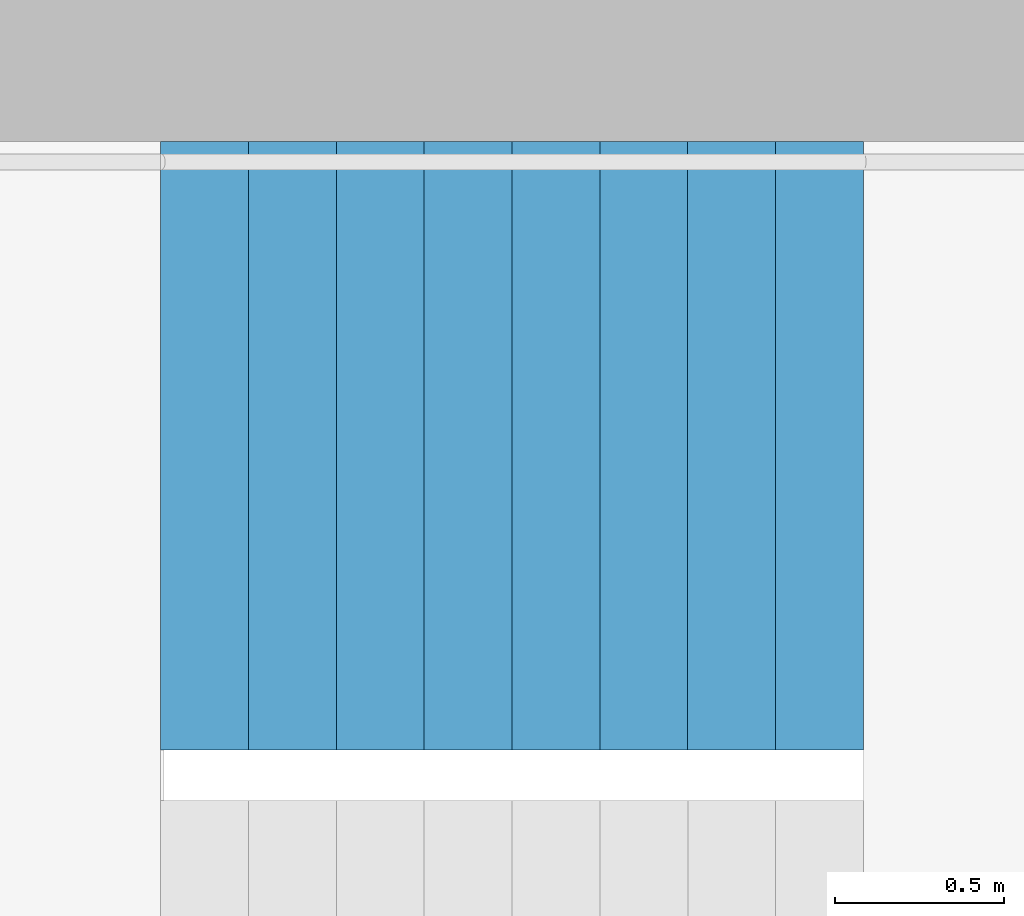
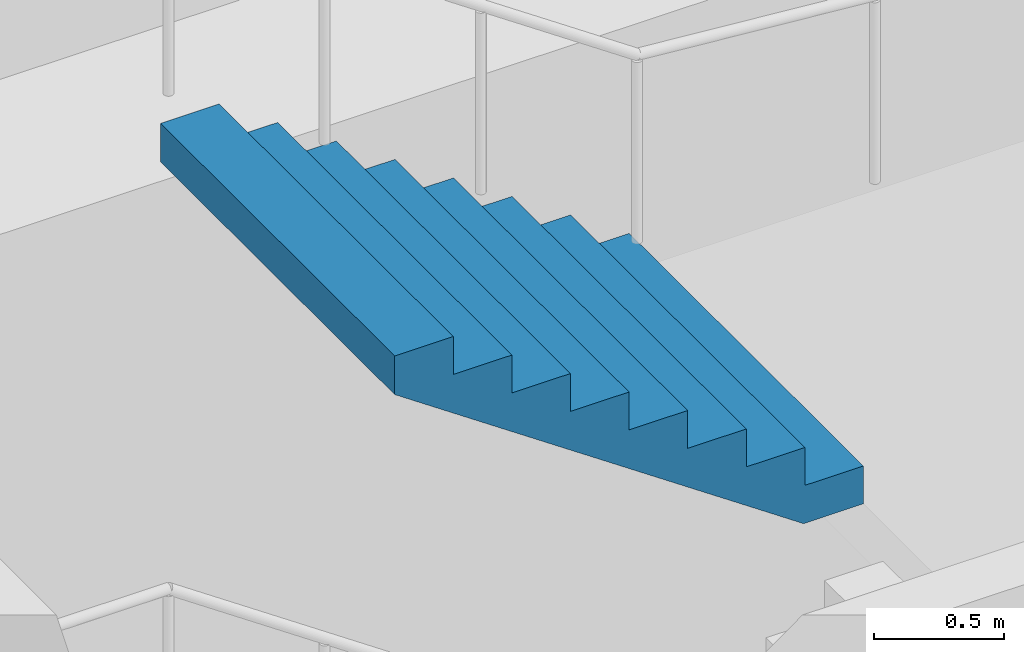
# One storey, part 23 of 42: 1 stair flight, 1 element without a shape of its own.
"""IFC4 building model written with IfcOpenShell, lengths in metres."""

from ifc_helpers import new_model, si_unit, direction, frame, origin, place, context, subcontext, project, spatial, triangles, material, type_object, element, aggregate, save


model = new_model("IFC4")

# Units and contexts
model_context = context("Model", 3, precision=1e-05, world=origin(), true_north=direction((0.0, 1.0)))
body_context = subcontext(model_context, "Body", "Model", "MODEL_VIEW")
ifc_project = project(units=[si_unit("LENGTHUNIT", "METRE"), si_unit("AREAUNIT", "SQUARE_METRE"), si_unit("VOLUMEUNIT", "CUBIC_METRE"), si_unit("PLANEANGLEUNIT", "RADIAN"), si_unit("MASSUNIT", "GRAM", prefix="KILO")], contexts=[model_context])

# Site, building, storey
site_placement = place(None, origin())
site = spatial("IfcSite", under=ifc_project, at=site_placement, CompositionType="ELEMENT")
building_placement = place(site_placement, origin())
building = spatial("IfcBuilding", under=site, at=building_placement, Name="Hakoniwa Tower and Hamabe Station Hall", CompositionType="ELEMENT")
storey_placement = place(building_placement, frame((0.0, 0.0, 232.60009765625)))
storey = spatial("IfcBuildingStorey", under=building, at=storey_placement, Name="L66", CompositionType="ELEMENT", Elevation=232.60009765625)

# Stair, stair flight
ifc_material_1 = material(Name="Concrete C40", Category="concrete")
stair_type = type_object("IfcStairType", Name="ESCAPE STAIR 1800", PredefinedType="HALF_TURN_STAIR", material=ifc_material_1)
stair_placement = place(storey_placement, origin())
stair = element("IfcStair", 1, at=stair_placement, inside=storey, type_object=stair_type, Name="Escape stair ST-1 L66", PredefinedType="HALF_TURN_STAIR")
ifc_material_2 = material(Name="Concrete C40", Category="concrete")
stair_flight_type = type_object("IfcStairFlightType", Name="STAIR FLIGHT 1800", PredefinedType="STRAIGHT", material=ifc_material_2)
stair_flight_placement = place(storey_placement, frame((-22.320068359375, 6.60009765625, 4.7998046875), z_axis=(0.0, 0.0, 1.0), x_axis=(-1.0, 0.0, 0.0)))
stair_flight = element("IfcStairFlight", 2, at=stair_flight_placement, type_object=stair_flight_type, Name="ST-1 flight 4", NumberOfRisers=9, NumberOfTreads=8, PredefinedType="STRAIGHT", RiserHeight=0.177777778, TreadLength=0.26, context=body_context, shape_type="Tessellation", body=[
    triangles([(0.0, 0.89990234375, 0.0), (0.260009765625, 0.89990234375, 0.0), (0.265625, 0.89990234375, 0.0), (0.52001953125, 0.89990234375, 0.174072265625), (0.780029296875, 0.89990234375, 0.351806640625), (1.0400390625, 0.89990234375, 0.529541015625), (1.300048828125, 0.89990234375, 0.707275390625), (1.56005859375, 0.89990234375, 0.885009765625), (1.820068359375, 0.89990234375, 1.062744140625), (2.080078125, 0.89990234375, 1.24072265625), (2.080078125, 0.89990234375, 1.422119140625), (1.820068359375, 0.89990234375, 1.422119140625), (1.820068359375, 0.89990234375, 1.244384765625), (1.56005859375, 0.89990234375, 1.244384765625), (1.56005859375, 0.89990234375, 1.066650390625), (1.300048828125, 0.89990234375, 1.066650390625), (1.300048828125, 0.89990234375, 0.888916015625), (1.0400390625, 0.89990234375, 0.888916015625), (1.0400390625, 0.89990234375, 0.711181640625), (0.780029296875, 0.89990234375, 0.711181640625), (0.780029296875, 0.89990234375, 0.533447265625), (0.52001953125, 0.89990234375, 0.533447265625), (0.52001953125, 0.89990234375, 0.35546875), (0.265625, 0.89990234375, 0.35546875), (0.260009765625, 0.89990234375, 0.35546875), (0.260009765625, 0.89990234375, 0.177734375), (0.0, 0.89990234375, 0.177734375), (0.0, 0.06005859375, 0.0), (0.260009765625, 0.06005859375, 0.0), (0.265625, 0.06005859375, 0.0), (0.52001953125, 0.06005859375, 0.174072265625), (0.780029296875, 0.06005859375, 0.351806640625), (1.0400390625, 0.06005859375, 0.529541015625), (1.300048828125, 0.06005859375, 0.707275390625), (1.56005859375, 0.06005859375, 0.885009765625), (1.820068359375, 0.06005859375, 1.062744140625), (2.080078125, 0.06005859375, 1.24072265625), (2.080078125, 0.06005859375, 1.422119140625), (1.820068359375, 0.06005859375, 1.422119140625), (1.820068359375, 0.06005859375, 1.244384765625), (1.56005859375, 0.06005859375, 1.244384765625), (1.56005859375, 0.06005859375, 1.066650390625), (1.300048828125, 0.06005859375, 1.066650390625), (1.300048828125, 0.06005859375, 0.888916015625), (1.0400390625, 0.06005859375, 0.888916015625), (1.0400390625, 0.06005859375, 0.711181640625), (0.780029296875, 0.06005859375, 0.711181640625), (0.780029296875, 0.06005859375, 0.533447265625), (0.52001953125, 0.06005859375, 0.533447265625), (0.52001953125, 0.06005859375, 0.35546875), (0.265625, 0.06005859375, 0.35546875), (0.260009765625, 0.06005859375, 0.35546875), (0.260009765625, 0.06005859375, 0.177734375), (0.0, 0.06005859375, 0.177734375), (0.0, 0.04296875, 0.0), (0.260009765625, 0.04296875, 0.0), (0.265625, 0.04296875, 0.0), (0.52001953125, 0.04296875, 0.174072265625), (0.780029296875, 0.04296875, 0.351806640625), (1.0400390625, 0.04296875, 0.529541015625), (1.300048828125, 0.04296875, 0.707275390625), (1.56005859375, 0.04296875, 0.885009765625), (1.820068359375, 0.04296875, 1.062744140625), (2.080078125, 0.04296875, 1.24072265625), (2.080078125, 0.04296875, 1.422119140625), (1.820068359375, 0.04296875, 1.422119140625), (1.820068359375, 0.04296875, 1.244384765625), (1.56005859375, 0.04296875, 1.244384765625), (1.56005859375, 0.04296875, 1.066650390625), (1.300048828125, 0.04296875, 1.066650390625), (1.300048828125, 0.04296875, 0.888916015625), (1.0400390625, 0.04296875, 0.888916015625), (1.0400390625, 0.04296875, 0.711181640625), (0.780029296875, 0.04296875, 0.711181640625), (0.780029296875, 0.04296875, 0.533447265625), (0.52001953125, 0.04296875, 0.533447265625), (0.52001953125, 0.04296875, 0.35546875), (0.265625, 0.04296875, 0.35546875), (0.260009765625, 0.04296875, 0.35546875), (0.260009765625, 0.04296875, 0.177734375), (0.0, 0.04296875, 0.177734375), (0.0, 0.025634765625, 0.0), (0.260009765625, 0.025634765625, 0.0), (0.265625, 0.025634765625, 0.0), (0.52001953125, 0.025634765625, 0.174072265625), (0.780029296875, 0.025634765625, 0.351806640625), (1.0400390625, 0.025634765625, 0.529541015625), (1.300048828125, 0.025634765625, 0.707275390625), (1.56005859375, 0.025634765625, 0.885009765625), (1.820068359375, 0.025634765625, 1.062744140625), (2.080078125, 0.025634765625, 1.24072265625), (2.080078125, 0.025634765625, 1.422119140625), (1.820068359375, 0.025634765625, 1.422119140625), (1.820068359375, 0.025634765625, 1.244384765625), (1.56005859375, 0.025634765625, 1.244384765625), (1.56005859375, 0.025634765625, 1.066650390625), (1.300048828125, 0.025634765625, 1.066650390625), (1.300048828125, 0.025634765625, 0.888916015625), (1.0400390625, 0.025634765625, 0.888916015625), (1.0400390625, 0.025634765625, 0.711181640625), (0.780029296875, 0.025634765625, 0.711181640625), (0.780029296875, 0.025634765625, 0.533447265625), (0.52001953125, 0.025634765625, 0.533447265625), (0.52001953125, 0.025634765625, 0.35546875), (0.265625, 0.025634765625, 0.35546875), (0.260009765625, 0.025634765625, 0.35546875), (0.260009765625, 0.025634765625, 0.177734375), (0.0, 0.025634765625, 0.177734375), (0.0, 0.008544921875, 0.0), (0.260009765625, 0.008544921875, 0.0), (0.265625, 0.008544921875, 0.0), (0.52001953125, 0.008544921875, 0.174072265625), (0.780029296875, 0.008544921875, 0.351806640625), (1.0400390625, 0.008544921875, 0.529541015625), (1.300048828125, 0.008544921875, 0.707275390625), (1.56005859375, 0.008544921875, 0.885009765625), (1.820068359375, 0.008544921875, 1.062744140625), (2.080078125, 0.008544921875, 1.24072265625), (2.080078125, 0.008544921875, 1.422119140625), (1.820068359375, 0.008544921875, 1.422119140625), (1.820068359375, 0.008544921875, 1.244384765625), (1.56005859375, 0.008544921875, 1.244384765625), (1.56005859375, 0.008544921875, 1.066650390625), (1.300048828125, 0.008544921875, 1.066650390625), (1.300048828125, 0.008544921875, 0.888916015625), (1.0400390625, 0.008544921875, 0.888916015625), (1.0400390625, 0.008544921875, 0.711181640625), (0.780029296875, 0.008544921875, 0.711181640625), (0.780029296875, 0.008544921875, 0.533447265625), (0.52001953125, 0.008544921875, 0.533447265625), (0.52001953125, 0.008544921875, 0.35546875), (0.265625, 0.008544921875, 0.35546875), (0.260009765625, 0.008544921875, 0.35546875), (0.260009765625, 0.008544921875, 0.177734375), (0.0, 0.008544921875, 0.177734375), (0.0, -0.008544921875, 0.0), (0.260009765625, -0.008544921875, 0.0), (0.265625, -0.008544921875, 0.0), (0.52001953125, -0.008544921875, 0.174072265625), (0.780029296875, -0.008544921875, 0.351806640625), (1.0400390625, -0.008544921875, 0.529541015625), (1.300048828125, -0.008544921875, 0.707275390625), (1.56005859375, -0.008544921875, 0.885009765625), (1.820068359375, -0.008544921875, 1.062744140625), (2.080078125, -0.008544921875, 1.24072265625), (2.080078125, -0.008544921875, 1.422119140625), (1.820068359375, -0.008544921875, 1.422119140625), (1.820068359375, -0.008544921875, 1.244384765625), (1.56005859375, -0.008544921875, 1.244384765625), (1.56005859375, -0.008544921875, 1.066650390625), (1.300048828125, -0.008544921875, 1.066650390625), (1.300048828125, -0.008544921875, 0.888916015625), (1.0400390625, -0.008544921875, 0.888916015625), (1.0400390625, -0.008544921875, 0.711181640625), (0.780029296875, -0.008544921875, 0.711181640625), (0.780029296875, -0.008544921875, 0.533447265625), (0.52001953125, -0.008544921875, 0.533447265625), (0.52001953125, -0.008544921875, 0.35546875), (0.265625, -0.008544921875, 0.35546875), (0.260009765625, -0.008544921875, 0.35546875), (0.260009765625, -0.008544921875, 0.177734375), (0.0, -0.008544921875, 0.177734375), (0.0, -0.025634765625, 0.0), (0.260009765625, -0.025634765625, 0.0), (0.265625, -0.025634765625, 0.0), (0.52001953125, -0.025634765625, 0.174072265625), (0.780029296875, -0.025634765625, 0.351806640625), (1.0400390625, -0.025634765625, 0.529541015625), (1.300048828125, -0.025634765625, 0.707275390625), (1.56005859375, -0.025634765625, 0.885009765625), (1.820068359375, -0.025634765625, 1.062744140625), (2.080078125, -0.025634765625, 1.24072265625), (2.080078125, -0.025634765625, 1.422119140625), (1.820068359375, -0.025634765625, 1.422119140625), (1.820068359375, -0.025634765625, 1.244384765625), (1.56005859375, -0.025634765625, 1.244384765625), (1.56005859375, -0.025634765625, 1.066650390625), (1.300048828125, -0.025634765625, 1.066650390625), (1.300048828125, -0.025634765625, 0.888916015625), (1.0400390625, -0.025634765625, 0.888916015625), (1.0400390625, -0.025634765625, 0.711181640625), (0.780029296875, -0.025634765625, 0.711181640625), (0.780029296875, -0.025634765625, 0.533447265625), (0.52001953125, -0.025634765625, 0.533447265625), (0.52001953125, -0.025634765625, 0.35546875), (0.265625, -0.025634765625, 0.35546875), (0.260009765625, -0.025634765625, 0.35546875), (0.260009765625, -0.025634765625, 0.177734375), (0.0, -0.025634765625, 0.177734375), (0.0, -0.04296875, 0.0), (0.260009765625, -0.04296875, 0.0), (0.265625, -0.04296875, 0.0), (0.52001953125, -0.04296875, 0.174072265625), (0.780029296875, -0.04296875, 0.351806640625), (1.0400390625, -0.04296875, 0.529541015625), (1.300048828125, -0.04296875, 0.707275390625), (1.56005859375, -0.04296875, 0.885009765625), (1.820068359375, -0.04296875, 1.062744140625), (2.080078125, -0.04296875, 1.24072265625), (2.080078125, -0.04296875, 1.422119140625), (1.820068359375, -0.04296875, 1.422119140625), (1.820068359375, -0.04296875, 1.244384765625), (1.56005859375, -0.04296875, 1.244384765625), (1.56005859375, -0.04296875, 1.066650390625), (1.300048828125, -0.04296875, 1.066650390625), (1.300048828125, -0.04296875, 0.888916015625), (1.0400390625, -0.04296875, 0.888916015625), (1.0400390625, -0.04296875, 0.711181640625), (0.780029296875, -0.04296875, 0.711181640625), (0.780029296875, -0.04296875, 0.533447265625), (0.52001953125, -0.04296875, 0.533447265625), (0.52001953125, -0.04296875, 0.35546875), (0.265625, -0.04296875, 0.35546875), (0.260009765625, -0.04296875, 0.35546875), (0.260009765625, -0.04296875, 0.177734375), (0.0, -0.04296875, 0.177734375), (0.0, -0.06005859375, 0.0), (0.260009765625, -0.06005859375, 0.0), (0.265625, -0.06005859375, 0.0), (0.52001953125, -0.06005859375, 0.174072265625), (0.780029296875, -0.06005859375, 0.351806640625), (1.0400390625, -0.06005859375, 0.529541015625), (1.300048828125, -0.06005859375, 0.707275390625), (1.56005859375, -0.06005859375, 0.885009765625), (1.820068359375, -0.06005859375, 1.062744140625), (2.080078125, -0.06005859375, 1.24072265625), (2.080078125, -0.06005859375, 1.422119140625), (1.820068359375, -0.06005859375, 1.422119140625), (1.820068359375, -0.06005859375, 1.244384765625), (1.56005859375, -0.06005859375, 1.244384765625), (1.56005859375, -0.06005859375, 1.066650390625), (1.300048828125, -0.06005859375, 1.066650390625), (1.300048828125, -0.06005859375, 0.888916015625), (1.0400390625, -0.06005859375, 0.888916015625), (1.0400390625, -0.06005859375, 0.711181640625), (0.780029296875, -0.06005859375, 0.711181640625), (0.780029296875, -0.06005859375, 0.533447265625), (0.52001953125, -0.06005859375, 0.533447265625), (0.52001953125, -0.06005859375, 0.35546875), (0.265625, -0.06005859375, 0.35546875), (0.260009765625, -0.06005859375, 0.35546875), (0.260009765625, -0.06005859375, 0.177734375), (0.0, -0.06005859375, 0.177734375), (0.0, -0.89990234375, 0.0), (0.260009765625, -0.89990234375, 0.0), (0.265625, -0.89990234375, 0.0), (0.52001953125, -0.89990234375, 0.174072265625), (0.780029296875, -0.89990234375, 0.351806640625), (1.0400390625, -0.89990234375, 0.529541015625), (1.300048828125, -0.89990234375, 0.707275390625), (1.56005859375, -0.89990234375, 0.885009765625), (1.820068359375, -0.89990234375, 1.062744140625), (2.080078125, -0.89990234375, 1.24072265625), (2.080078125, -0.89990234375, 1.422119140625), (1.820068359375, -0.89990234375, 1.422119140625), (1.820068359375, -0.89990234375, 1.244384765625), (1.56005859375, -0.89990234375, 1.244384765625), (1.56005859375, -0.89990234375, 1.066650390625), (1.300048828125, -0.89990234375, 1.066650390625), (1.300048828125, -0.89990234375, 0.888916015625), (1.0400390625, -0.89990234375, 0.888916015625), (1.0400390625, -0.89990234375, 0.711181640625), (0.780029296875, -0.89990234375, 0.711181640625), (0.780029296875, -0.89990234375, 0.533447265625), (0.52001953125, -0.89990234375, 0.533447265625), (0.52001953125, -0.89990234375, 0.35546875), (0.265625, -0.89990234375, 0.35546875), (0.260009765625, -0.89990234375, 0.35546875), (0.260009765625, -0.89990234375, 0.177734375), (0.0, -0.89990234375, 0.177734375)], [[2, 27, 26], [245, 269, 270], [2, 1, 27], [245, 270, 244], [3, 25, 24], [246, 267, 268], [3, 26, 25], [246, 268, 269], [3, 2, 26], [246, 269, 245], [4, 24, 23], [247, 266, 267], [4, 3, 24], [247, 267, 246], [5, 22, 21], [248, 264, 265], [5, 23, 22], [248, 265, 266], [5, 4, 23], [248, 266, 247], [6, 20, 19], [249, 262, 263], [6, 21, 20], [249, 263, 264], [6, 5, 21], [249, 264, 248], [7, 18, 17], [250, 260, 261], [7, 19, 18], [250, 261, 262], [7, 6, 19], [250, 262, 249], [8, 16, 15], [251, 258, 259], [8, 17, 16], [251, 259, 260], [8, 7, 17], [251, 260, 250], [9, 14, 13], [252, 256, 257], [9, 15, 14], [252, 257, 258], [9, 8, 15], [252, 258, 251], [10, 12, 11], [253, 254, 255], [10, 13, 12], [253, 255, 256], [10, 9, 13], [253, 256, 252], [1, 2, 29], [1, 29, 28], [28, 29, 56], [28, 56, 55], [55, 56, 83], [55, 83, 82], [82, 83, 110], [82, 110, 109], [109, 110, 137], [109, 137, 136], [136, 137, 164], [136, 164, 163], [163, 164, 191], [163, 191, 190], [190, 191, 218], [190, 218, 217], [217, 218, 245], [217, 245, 244], [2, 3, 30], [2, 30, 29], [29, 30, 57], [29, 57, 56], [56, 57, 84], [56, 84, 83], [83, 84, 111], [83, 111, 110], [110, 111, 138], [110, 138, 137], [137, 138, 165], [137, 165, 164], [164, 165, 192], [164, 192, 191], [191, 192, 219], [191, 219, 218], [218, 219, 246], [218, 246, 245], [3, 4, 31], [3, 31, 30], [30, 31, 58], [30, 58, 57], [57, 58, 85], [57, 85, 84], [84, 85, 112], [84, 112, 111], [111, 112, 139], [111, 139, 138], [138, 139, 166], [138, 166, 165], [165, 166, 193], [165, 193, 192], [192, 193, 220], [192, 220, 219], [219, 220, 247], [219, 247, 246], [4, 5, 32], [4, 32, 31], [31, 32, 59], [31, 59, 58], [58, 59, 86], [58, 86, 85], [85, 86, 113], [85, 113, 112], [112, 113, 140], [112, 140, 139], [139, 140, 167], [139, 167, 166], [166, 167, 194], [166, 194, 193], [193, 194, 221], [193, 221, 220], [220, 221, 248], [220, 248, 247], [5, 6, 33], [5, 33, 32], [32, 33, 60], [32, 60, 59], [59, 60, 87], [59, 87, 86], [86, 87, 114], [86, 114, 113], [113, 114, 141], [113, 141, 140], [140, 141, 168], [140, 168, 167], [167, 168, 195], [167, 195, 194], [194, 195, 222], [194, 222, 221], [221, 222, 249], [221, 249, 248], [6, 7, 34], [6, 34, 33], [33, 34, 61], [33, 61, 60], [60, 61, 88], [60, 88, 87], [87, 88, 115], [87, 115, 114], [114, 115, 142], [114, 142, 141], [141, 142, 169], [141, 169, 168], [168, 169, 196], [168, 196, 195], [195, 196, 223], [195, 223, 222], [222, 223, 250], [222, 250, 249], [7, 8, 35], [7, 35, 34], [34, 35, 62], [34, 62, 61], [61, 62, 89], [61, 89, 88], [88, 89, 116], [88, 116, 115], [115, 116, 143], [115, 143, 142], [142, 143, 170], [142, 170, 169], [169, 170, 197], [169, 197, 196], [196, 197, 224], [196, 224, 223], [223, 224, 251], [223, 251, 250], [8, 9, 36], [8, 36, 35], [35, 36, 63], [35, 63, 62], [62, 63, 90], [62, 90, 89], [89, 90, 117], [89, 117, 116], [116, 117, 144], [116, 144, 143], [143, 144, 171], [143, 171, 170], [170, 171, 198], [170, 198, 197], [197, 198, 225], [197, 225, 224], [224, 225, 252], [224, 252, 251], [9, 10, 37], [9, 37, 36], [36, 37, 64], [36, 64, 63], [63, 64, 91], [63, 91, 90], [90, 91, 118], [90, 118, 117], [117, 118, 145], [117, 145, 144], [144, 145, 172], [144, 172, 171], [171, 172, 199], [171, 199, 198], [198, 199, 226], [198, 226, 225], [225, 226, 253], [225, 253, 252], [10, 11, 38], [10, 38, 37], [37, 38, 65], [37, 65, 64], [64, 65, 92], [64, 92, 91], [91, 92, 119], [91, 119, 118], [118, 119, 146], [118, 146, 145], [145, 146, 173], [145, 173, 172], [172, 173, 200], [172, 200, 199], [199, 200, 227], [199, 227, 226], [226, 227, 254], [226, 254, 253], [11, 12, 39], [11, 39, 38], [38, 39, 66], [38, 66, 65], [65, 66, 93], [65, 93, 92], [92, 93, 120], [92, 120, 119], [119, 120, 147], [119, 147, 146], [146, 147, 174], [146, 174, 173], [173, 174, 201], [173, 201, 200], [200, 201, 228], [200, 228, 227], [227, 228, 255], [227, 255, 254], [12, 13, 40], [12, 40, 39], [39, 40, 67], [39, 67, 66], [66, 67, 94], [66, 94, 93], [93, 94, 121], [93, 121, 120], [120, 121, 148], [120, 148, 147], [147, 148, 175], [147, 175, 174], [174, 175, 202], [174, 202, 201], [201, 202, 229], [201, 229, 228], [228, 229, 256], [228, 256, 255], [13, 14, 41], [13, 41, 40], [40, 41, 68], [40, 68, 67], [67, 68, 95], [67, 95, 94], [94, 95, 122], [94, 122, 121], [121, 122, 149], [121, 149, 148], [148, 149, 176], [148, 176, 175], [175, 176, 203], [175, 203, 202], [202, 203, 230], [202, 230, 229], [229, 230, 257], [229, 257, 256], [14, 15, 42], [14, 42, 41], [41, 42, 69], [41, 69, 68], [68, 69, 96], [68, 96, 95], [95, 96, 123], [95, 123, 122], [122, 123, 150], [122, 150, 149], [149, 150, 177], [149, 177, 176], [176, 177, 204], [176, 204, 203], [203, 204, 231], [203, 231, 230], [230, 231, 258], [230, 258, 257], [15, 16, 43], [15, 43, 42], [42, 43, 70], [42, 70, 69], [69, 70, 97], [69, 97, 96], [96, 97, 124], [96, 124, 123], [123, 124, 151], [123, 151, 150], [150, 151, 178], [150, 178, 177], [177, 178, 205], [177, 205, 204], [204, 205, 232], [204, 232, 231], [231, 232, 259], [231, 259, 258], [16, 17, 44], [16, 44, 43], [43, 44, 71], [43, 71, 70], [70, 71, 98], [70, 98, 97], [97, 98, 125], [97, 125, 124], [124, 125, 152], [124, 152, 151], [151, 152, 179], [151, 179, 178], [178, 179, 206], [178, 206, 205], [205, 206, 233], [205, 233, 232], [232, 233, 260], [232, 260, 259], [17, 18, 45], [17, 45, 44], [44, 45, 72], [44, 72, 71], [71, 72, 99], [71, 99, 98], [98, 99, 126], [98, 126, 125], [125, 126, 153], [125, 153, 152], [152, 153, 180], [152, 180, 179], [179, 180, 207], [179, 207, 206], [206, 207, 234], [206, 234, 233], [233, 234, 261], [233, 261, 260], [18, 19, 46], [18, 46, 45], [45, 46, 73], [45, 73, 72], [72, 73, 100], [72, 100, 99], [99, 100, 127], [99, 127, 126], [126, 127, 154], [126, 154, 153], [153, 154, 181], [153, 181, 180], [180, 181, 208], [180, 208, 207], [207, 208, 235], [207, 235, 234], [234, 235, 262], [234, 262, 261], [19, 20, 47], [19, 47, 46], [46, 47, 74], [46, 74, 73], [73, 74, 101], [73, 101, 100], [100, 101, 128], [100, 128, 127], [127, 128, 155], [127, 155, 154], [154, 155, 182], [154, 182, 181], [181, 182, 209], [181, 209, 208], [208, 209, 236], [208, 236, 235], [235, 236, 263], [235, 263, 262], [20, 21, 48], [20, 48, 47], [47, 48, 75], [47, 75, 74], [74, 75, 102], [74, 102, 101], [101, 102, 129], [101, 129, 128], [128, 129, 156], [128, 156, 155], [155, 156, 183], [155, 183, 182], [182, 183, 210], [182, 210, 209], [209, 210, 237], [209, 237, 236], [236, 237, 264], [236, 264, 263], [21, 22, 49], [21, 49, 48], [48, 49, 76], [48, 76, 75], [75, 76, 103], [75, 103, 102], [102, 103, 130], [102, 130, 129], [129, 130, 157], [129, 157, 156], [156, 157, 184], [156, 184, 183], [183, 184, 211], [183, 211, 210], [210, 211, 238], [210, 238, 237], [237, 238, 265], [237, 265, 264], [22, 23, 50], [22, 50, 49], [49, 50, 77], [49, 77, 76], [76, 77, 104], [76, 104, 103], [103, 104, 131], [103, 131, 130], [130, 131, 158], [130, 158, 157], [157, 158, 185], [157, 185, 184], [184, 185, 212], [184, 212, 211], [211, 212, 239], [211, 239, 238], [238, 239, 266], [238, 266, 265], [23, 24, 51], [23, 51, 50], [50, 51, 78], [50, 78, 77], [77, 78, 105], [77, 105, 104], [104, 105, 132], [104, 132, 131], [131, 132, 159], [131, 159, 158], [158, 159, 186], [158, 186, 185], [185, 186, 213], [185, 213, 212], [212, 213, 240], [212, 240, 239], [239, 240, 267], [239, 267, 266], [24, 25, 52], [24, 52, 51], [51, 52, 79], [51, 79, 78], [78, 79, 106], [78, 106, 105], [105, 106, 133], [105, 133, 132], [132, 133, 160], [132, 160, 159], [159, 160, 187], [159, 187, 186], [186, 187, 214], [186, 214, 213], [213, 214, 241], [213, 241, 240], [240, 241, 268], [240, 268, 267], [25, 26, 53], [25, 53, 52], [52, 53, 80], [52, 80, 79], [79, 80, 107], [79, 107, 106], [106, 107, 134], [106, 134, 133], [133, 134, 161], [133, 161, 160], [160, 161, 188], [160, 188, 187], [187, 188, 215], [187, 215, 214], [214, 215, 242], [214, 242, 241], [241, 242, 269], [241, 269, 268], [26, 27, 54], [26, 54, 53], [53, 54, 81], [53, 81, 80], [80, 81, 108], [80, 108, 107], [107, 108, 135], [107, 135, 134], [134, 135, 162], [134, 162, 161], [161, 162, 189], [161, 189, 188], [188, 189, 216], [188, 216, 215], [215, 216, 243], [215, 243, 242], [242, 243, 270], [242, 270, 269], [27, 1, 28], [27, 28, 54], [54, 28, 55], [54, 55, 81], [81, 55, 82], [81, 82, 108], [108, 82, 109], [108, 109, 135], [135, 109, 136], [135, 136, 162], [162, 136, 163], [162, 163, 189], [189, 163, 190], [189, 190, 216], [216, 190, 217], [216, 217, 243], [243, 217, 244], [243, 244, 270]], closed=True),
])
aggregate(stair, [stair_flight])

save(model, "model.ifc")
